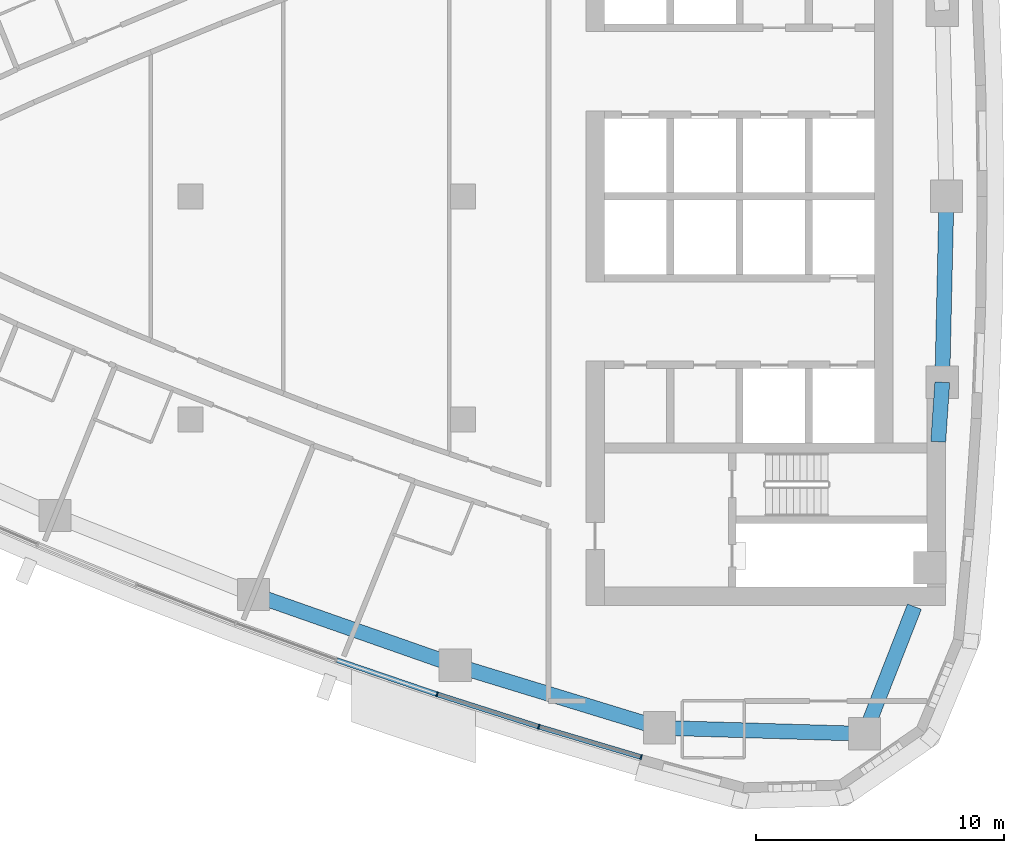
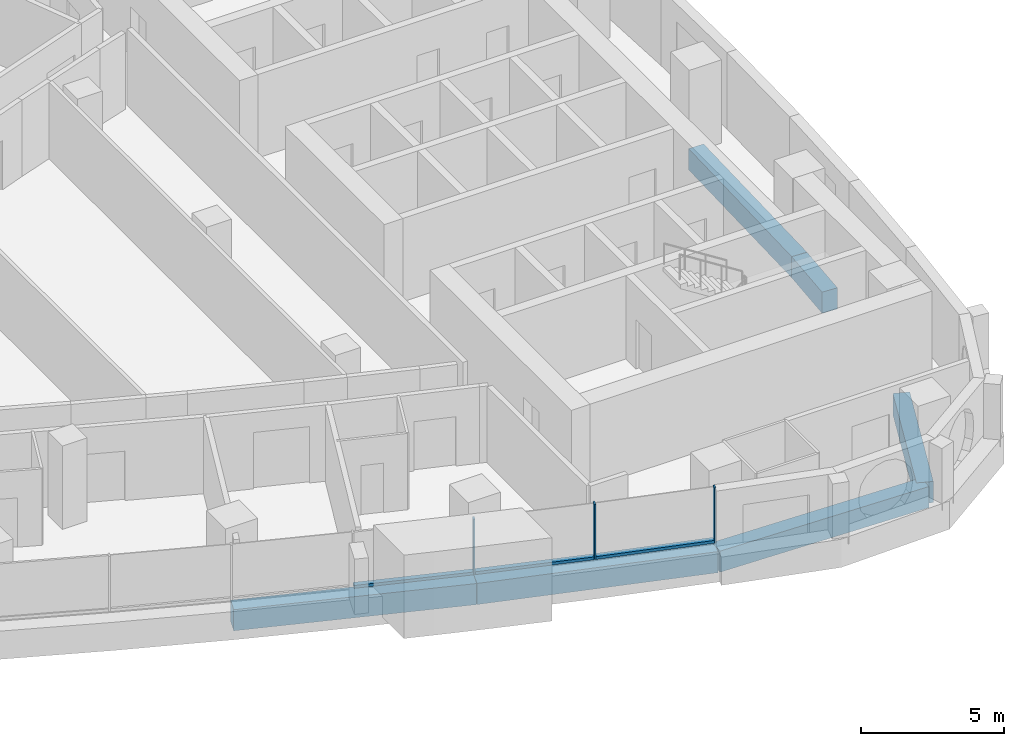
# One storey, part 4 of 17: 6 beams, 6 members, 2 elements without a shape of their own.
"""IFC4 building model written with IfcOpenShell, lengths in metres."""

from ifc_helpers import new_model, si_unit, direction, frame, origin, origin_2d, place, context, subcontext, project, spatial, rectangle, extrude, material, layer, layer_set, material_profile, profile_set, type_object, element, aggregate, save


model = new_model("IFC4")

# Units and contexts
model_context = context("Model", 3, precision=1e-05, world=origin(), true_north=direction((0.0, 1.0)))
body_context = subcontext(model_context, "Body", "Model", "MODEL_VIEW")
ifc_project = project(units=[si_unit("LENGTHUNIT", "METRE"), si_unit("AREAUNIT", "SQUARE_METRE"), si_unit("VOLUMEUNIT", "CUBIC_METRE"), si_unit("PLANEANGLEUNIT", "RADIAN"), si_unit("MASSUNIT", "GRAM", prefix="KILO")], contexts=[model_context])

# Site, building, storey
site_placement = place(None, origin())
site = spatial("IfcSite", under=ifc_project, at=site_placement, CompositionType="ELEMENT")
building_placement = place(site_placement, origin())
building = spatial("IfcBuilding", under=site, at=building_placement, Name="Ostrand Prow Hotel Tower", CompositionType="ELEMENT")
storey_placement = place(building_placement, frame((0.0, 0.0, 200.35009765625)))
storey = spatial("IfcBuildingStorey", under=building, at=storey_placement, Name="L50", CompositionType="ELEMENT", Elevation=200.35009765625)

# Beams
ifc_material_1 = material(Name="Concrete C60/75", Category="concrete")
ifc_material_profile_1 = material_profile(ifc_material_1, rectangle(XDim=0.60009765625, YDim=0.89990234375, at=origin_2d()), Name="RC 600x900")
ifc_profile_set_1 = profile_set([ifc_material_profile_1], Name="Concrete C60/75")
beam_type = type_object("IfcBeamType", Name="Edge beam 600x900 C60/75", PredefinedType="SPANDREL", material=ifc_profile_set_1)
for number, where, z_axis, x_axis, name in (
    (1, (36.547119140625, -16.060791015625, -0.75), (0.943593618681, -0.33110584831, 0.0), (0.33110584831, 0.943593618681, 0.0), "Edge beam S4-S5"),
    (2, (44.6826171875, -18.91552734375, -0.75), (0.956245556413, -0.292565267659, 0.0), (0.292565267659, 0.956245556413, 0.0), "Edge beam S5-S6"),
):
    element("IfcBeam", number, at=place(storey_placement, frame(where, z_axis=z_axis, x_axis=x_axis)), inside=storey, type_object=beam_type, Name=name, PredefinedType="SPANDREL", context=body_context, shape_type="SweptSolid", body=[
        extrude(rectangle(XDim=0.60009765625, YDim=0.89990234375, at=origin_2d()), origin(), (0.0, 0.0, 1.0), 8.621826171875),
    ])
beam_1_placement = place(storey_placement, frame((52.92724609375, -21.43798828125, -0.75), z_axis=(0.999575901438, -0.029120735993, 0.0), x_axis=(0.029120735993, 0.999575901438, 0.0)))
element("IfcBeam", 3, at=beam_1_placement, inside=storey, type_object=beam_type, Name="Edge beam S6-SE", PredefinedType="SPANDREL", context=body_context, shape_type="SweptSolid", body=[
    extrude(rectangle(XDim=0.60009765625, YDim=0.89990234375, at=origin_2d()), origin(), (0.0, 0.0, 1.0), 8.274658203125),
])
beam_2_placement = place(storey_placement, frame((61.198486328125, -21.678955078125, -0.75), z_axis=(0.364802049817, 0.931085100541, 0.0), x_axis=(-0.931085100541, 0.364802049817, 0.0)))
element("IfcBeam", 4, at=beam_2_placement, inside=storey, type_object=beam_type, Name="Edge beam SE-B1", PredefinedType="SPANDREL", context=body_context, shape_type="SweptSolid", body=[
    extrude(rectangle(XDim=0.60009765625, YDim=0.89990234375, at=origin_2d()), origin(), (0.0, 0.0, 1.0), 5.508544921875),
])
beam_3_placement = place(storey_placement, frame((64.167236328125, -9.89990234375, -0.75), z_axis=(0.067778284608, 0.997700408006, 0.0), x_axis=(-0.997700408006, 0.067778284608, 0.0)))
element("IfcBeam", 5, at=beam_3_placement, inside=storey, type_object=beam_type, Name="Edge beam B1-B2", PredefinedType="SPANDREL", context=body_context, shape_type="SweptSolid", body=[
    extrude(rectangle(XDim=0.60009765625, YDim=0.89990234375, at=origin_2d()), origin(), (0.0, 0.0, 1.0), 2.40625),
])
beam_4_placement = place(storey_placement, frame((64.330322265625, -7.499267578125, -0.75), z_axis=(0.022620118241, 0.999744132391, 0.0), x_axis=(-0.999744132391, 0.022620118241, 0.0)))
element("IfcBeam", 6, at=beam_4_placement, inside=storey, type_object=beam_type, Name="Edge beam B2-B3", PredefinedType="SPANDREL", context=body_context, shape_type="SweptSolid", body=[
    extrude(rectangle(XDim=0.60009765625, YDim=0.89990234375, at=origin_2d()), origin(), (0.0, 0.0, 1.0), 7.501220703125),
])

# Curtain wall, member
ifc_material_2 = material(Name="Insulated glass in bronze anodised frame", Category="glass")
ifc_layer = layer(ifc_material_2, 0.199951171875)
ifc_layer_set = layer_set([ifc_layer], Name="Insulated glass in bronze anodised frame")
curtain_wall_type = type_object("IfcCurtainWallType", Name="Strip curtain wall, fritted glass over bronze spandrel", PredefinedType="NOTDEFINED", material=ifc_layer_set)
curtain_wall_1_placement = place(storey_placement, origin())
curtain_wall_1 = element("IfcCurtainWall", 7, at=curtain_wall_1_placement, inside=storey, type_object=curtain_wall_type, Name="CW1 run CWS4", PredefinedType="NOTDEFINED")
ifc_material_3 = material(Name="Bronze anodised aluminium", Category="aluminium")
ifc_material_profile_2 = material_profile(ifc_material_3, rectangle(XDim=0.199951171875, YDim=0.06005859375, at=origin_2d()), Name="Mullion 60x200 bronze anodised aluminium")
ifc_profile_set_2 = profile_set([ifc_material_profile_2], Name="Bronze anodised aluminium")
member_type_1 = type_object("IfcMemberType", Name="Mullion 60x200 bronze anodised aluminium", PredefinedType="MULLION", material=ifc_profile_set_2)
member_1_placement = place(storey_placement, frame((43.95361328125, -20.086669921875, 0.89990234375), z_axis=(0.0, 0.0, 1.0), x_axis=(0.322908332404, 0.946430245113, 0.0)))
member_1 = element("IfcMember", 8, at=member_1_placement, type_object=member_type_1, Name="CW1 mullion 3", PredefinedType="MULLION", context=body_context, shape_type="SweptSolid", body=[
    extrude(rectangle(XDim=0.199951171875, YDim=0.06005859375, at=origin_2d()), origin(), (0.0, 0.0, 1.0), 2.35009765625),
])

# Curtain wall, members
curtain_wall_2_placement = place(storey_placement, origin())
curtain_wall_2 = element("IfcCurtainWall", 9, at=curtain_wall_2_placement, inside=storey, type_object=curtain_wall_type, Name="CW1 run CWS5", PredefinedType="NOTDEFINED")
member_2_placement = place(storey_placement, frame((48.055419921875, -21.39453125, 0.89990234375), z_axis=(0.0, 0.0, 1.0), x_axis=(0.284544113619, 0.958662947758, 0.0)))
member_2 = element("IfcMember", 10, at=member_2_placement, type_object=member_type_1, Name="CW1 mullion 2", PredefinedType="MULLION", context=body_context, shape_type="SweptSolid", body=[
    extrude(rectangle(XDim=0.199951171875, YDim=0.06005859375, at=origin_2d()), origin(), (0.0, 0.0, 1.0), 2.35009765625),
])
member_3_placement = place(storey_placement, frame((52.182373046875, -22.619384765625, 0.89990234375), z_axis=(0.0, 0.0, 1.0), x_axis=(0.284544113619, 0.958662947758, 0.0)))
member_3 = element("IfcMember", 11, at=member_3_placement, type_object=member_type_1, Name="CW1 mullion 3", PredefinedType="MULLION", context=body_context, shape_type="SweptSolid", body=[
    extrude(rectangle(XDim=0.199951171875, YDim=0.06005859375, at=origin_2d()), origin(), (0.0, 0.0, 1.0), 2.35009765625),
])

# Member
ifc_material_4 = material(Name="Bronze anodised aluminium", Category="aluminium")
ifc_material_profile_3 = material_profile(ifc_material_4, rectangle(XDim=0.199951171875, YDim=0.1201171875, at=origin_2d()), Name="Transom 120x200 bronze anodised aluminium")
ifc_profile_set_3 = profile_set([ifc_material_profile_3], Name="Bronze anodised aluminium")
member_type_2 = type_object("IfcMemberType", Name="Transom 120x200 bronze anodised aluminium", PredefinedType="USERDEFINED", material=ifc_profile_set_3)
member_4_placement = place(storey_placement, frame((39.90771484375, -18.706298828125, 0.9599609375), z_axis=(0.946422327772, -0.322931536852, 0.0), x_axis=(0.322931536852, 0.946422327772, 0.0)))
member_4 = element("IfcMember", 12, at=member_4_placement, type_object=member_type_2, Name="CW1 transom 2.1", ObjectType="TRANSOM", PredefinedType="USERDEFINED", context=body_context, shape_type="SweptSolid", body=[
    extrude(rectangle(XDim=0.199951171875, YDim=0.1201171875, at=origin_2d()), origin(), (0.0, 0.0, 1.0), 4.2451171875),
])

aggregate(curtain_wall_1, [member_1, member_4])

member_5_placement = place(storey_placement, frame((43.982421875, -20.095947265625, 0.9599609375), z_axis=(0.952737512605, -0.303794720289, 0.0), x_axis=(0.303794720289, 0.952737512605, 0.0)))
member_5 = element("IfcMember", 13, at=member_5_placement, type_object=member_type_2, Name="CW1 transom 1.1", ObjectType="TRANSOM", PredefinedType="USERDEFINED", context=body_context, shape_type="SweptSolid", body=[
    extrude(rectangle(XDim=0.199951171875, YDim=0.1201171875, at=origin_2d()), origin(), (0.0, 0.0, 1.0), 4.244873046875),
])

member_6_placement = place(storey_placement, frame((48.083984375, -21.403076171875, 0.9599609375), z_axis=(0.958661084062, -0.284550392558, 0.0), x_axis=(0.284550392558, 0.958661084062, 0.0)))
member_6 = element("IfcMember", 14, at=member_6_placement, type_object=member_type_2, Name="CW1 transom 2.1", ObjectType="TRANSOM", PredefinedType="USERDEFINED", context=body_context, shape_type="SweptSolid", body=[
    extrude(rectangle(XDim=0.199951171875, YDim=0.1201171875, at=origin_2d()), origin(), (0.0, 0.0, 1.0), 4.245361328125),
])

aggregate(curtain_wall_2, [member_2, member_3, member_5, member_6])

save(model, "model.ifc")
